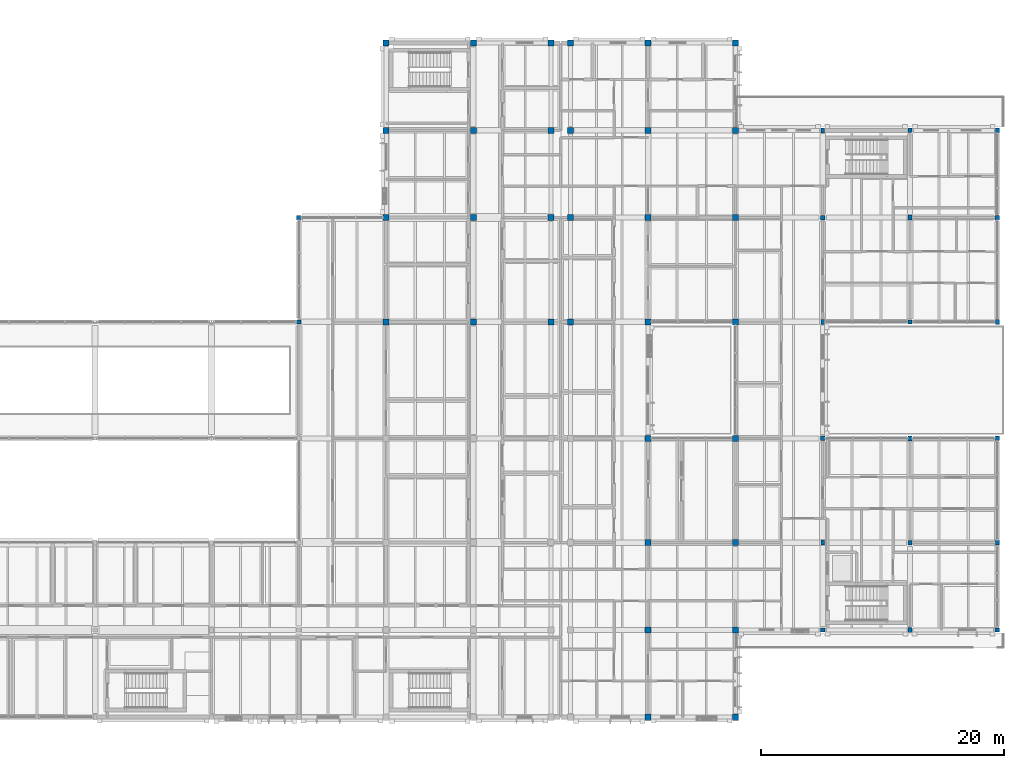
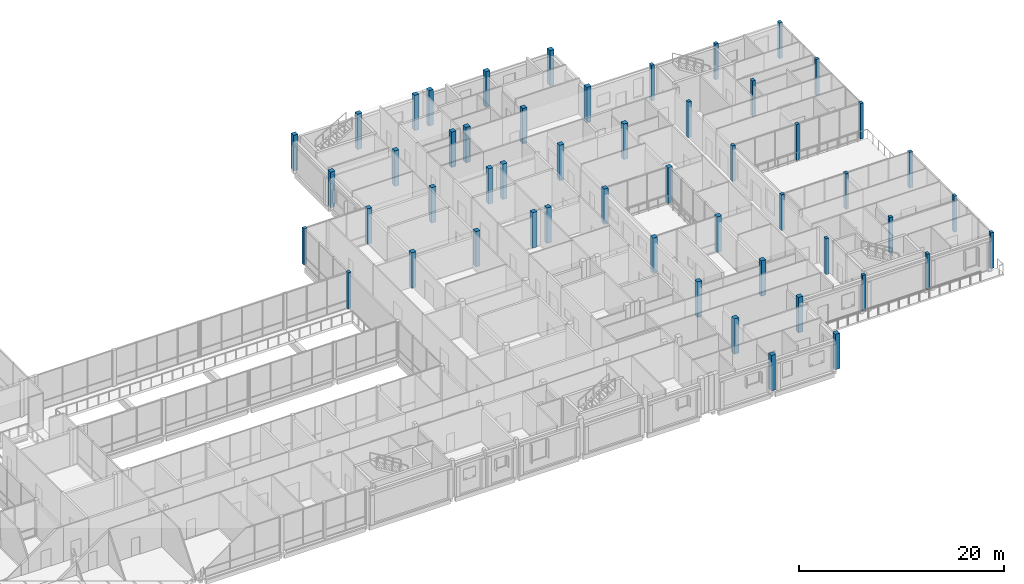
# One storey, part 14 of 146: 52 columns.
"""IFC4 building model written with IfcOpenShell, lengths in metres."""

from ifc_helpers import new_model, si_unit, direction, frame, origin, origin_2d, place, context, subcontext, project, spatial, rectangle, extrude, material, material_profile, profile_set, type_object, element, save


model = new_model("IFC4")

# Units and contexts
model_context = context("Model", 3, precision=1e-05, world=origin(), true_north=direction((0.0, 1.0)))
body_context = subcontext(model_context, "Body", "Model", "MODEL_VIEW")
ifc_project = project(units=[si_unit("LENGTHUNIT", "METRE"), si_unit("AREAUNIT", "SQUARE_METRE"), si_unit("VOLUMEUNIT", "CUBIC_METRE"), si_unit("PLANEANGLEUNIT", "RADIAN"), si_unit("MASSUNIT", "GRAM", prefix="KILO")], contexts=[model_context])

# Site, building, storey
site_placement = place(None, origin())
site = spatial("IfcSite", under=ifc_project, at=site_placement, CompositionType="ELEMENT")
building_placement = place(site_placement, origin())
building = spatial("IfcBuilding", under=site, at=building_placement, Name="Hawrajan Terrace Health Centre", CompositionType="ELEMENT")
storey_placement = place(building_placement, frame((0.0, 0.0, 4.5)))
storey = spatial("IfcBuildingStorey", under=building, at=storey_placement, Name="L01", CompositionType="ELEMENT", Elevation=4.5)

# Columns
ifc_material_1 = material(Name="Glulam GL32h", Category="wood")
ifc_material_profile_1 = material_profile(ifc_material_1, rectangle(XDim=0.320068359375, YDim=0.419921875, at=origin_2d()), Name="GL 320x420")
ifc_profile_set_1 = profile_set([ifc_material_profile_1], Name="Glulam GL32h")
column_type_1 = type_object("IfcColumnType", Name="GlulamCol_320x420", PredefinedType="COLUMN", material=ifc_profile_set_1)
for number, where, z_axis, x_axis, name in (
    (1, (151.0, 18.60009765625, 0.0), (0.0, 0.0, 1.0), (1.0, 0.0, 0.0), "Column COL-L01-E-X20-Y3"),
    (2, (151.0, 36.800048828125, 0.0), (0.0, 0.0, 1.0), (1.0, 0.0, 0.0), "Column COL-L01-E-X20-Y5"),
    (3, (151.0, 52.60009765625, 0.0), (0.0, 0.0, 1.0), (1.0, 0.0, 0.0), "Column COL-L01-E-X20-Y7"),
    (4, (158.199951171875, 11.39990234375, 0.0), (0.0, 0.0, 1.0), (1.0, 0.0, 0.0), "Column COL-L01-E-X21-Y2"),
    (5, (158.199951171875, 27.199951171875, 0.0), (0.0, 0.0, 1.0), (1.0, 0.0, 0.0), "Column COL-L01-E-X21-Y4"),
    (6, (158.199951171875, 45.39990234375, 0.0), (0.0, 0.0, 1.0), (1.0, 0.0, 0.0), "Column COL-L01-E-X21-Y6"),
    (7, (165.39990234375, 18.60009765625, 0.0), (0.0, 0.0, 1.0), (1.0, 0.0, 0.0), "Column COL-L01-E-X22-Y3"),
    (8, (165.39990234375, 36.800048828125, 0.0), (0.0, 0.0, 1.0), (1.0, 0.0, 0.0), "Column COL-L01-E-X22-Y5"),
    (9, (165.39990234375, 52.60009765625, 0.0), (0.0, 0.0, 1.0), (1.0, 0.0, 0.0), "Column COL-L01-E-X22-Y7"),
):
    element("IfcColumn", number, at=place(storey_placement, frame(where, z_axis=z_axis, x_axis=x_axis)), inside=storey, type_object=column_type_1, Name=name, PredefinedType="COLUMN", context=body_context, shape_type="SweptSolid", body=[
        extrude(rectangle(XDim=0.320068359375, YDim=0.419921875, at=origin_2d()), origin(), (0.0, 0.0, 1.0), 4.260009765625),
    ])
ifc_material_profile_2 = material_profile(ifc_material_1, rectangle(XDim=0.360107421875, YDim=0.360107421875, at=origin_2d()), Name="GL 360x360")
ifc_profile_set_2 = profile_set([ifc_material_profile_2], Name="Glulam GL32h")
column_type_2 = type_object("IfcColumnType", Name="GlulamCol_360x360", PredefinedType="COLUMN", material=ifc_profile_set_2)
for number, where, z_axis, x_axis, name in (
    (10, (107.800048828125, 36.800048828125, 0.0), (0.0, 0.0, 1.0), (1.0, 0.0, 0.0), "Column COL-L01-C-X14-Y5"),
    (11, (107.800048828125, 45.39990234375, 0.0), (0.0, 0.0, 1.0), (1.0, 0.0, 0.0), "Column COL-L01-C-X14-Y6"),
):
    element("IfcColumn", number, at=place(storey_placement, frame(where, z_axis=z_axis, x_axis=x_axis)), inside=storey, type_object=column_type_2, Name=name, PredefinedType="COLUMN", context=body_context, shape_type="SweptSolid", body=[
        extrude(rectangle(XDim=0.360107421875, YDim=0.360107421875, at=origin_2d()), origin(), (0.0, 0.0, 1.0), 4.300048828125),
    ])
for number, where, z_axis, x_axis, name in (
    (12, (151.0, 11.39990234375, 0.0), (0.0, 0.0, 1.0), (1.0, 0.0, 0.0), "Column COL-L01-E-X20-Y2"),
    (13, (151.0, 27.199951171875, 0.0), (0.0, 0.0, 1.0), (1.0, 0.0, 0.0), "Column COL-L01-E-X20-Y4"),
    (14, (151.0, 45.39990234375, 0.0), (0.0, 0.0, 1.0), (1.0, 0.0, 0.0), "Column COL-L01-E-X20-Y6"),
    (15, (158.199951171875, 18.60009765625, 0.0), (0.0, 0.0, 1.0), (1.0, 0.0, 0.0), "Column COL-L01-E-X21-Y3"),
    (16, (158.199951171875, 36.800048828125, 0.0), (0.0, 0.0, 1.0), (1.0, 0.0, 0.0), "Column COL-L01-E-X21-Y5"),
    (17, (158.199951171875, 52.60009765625, 0.0), (0.0, 0.0, 1.0), (1.0, 0.0, 0.0), "Column COL-L01-E-X21-Y7"),
    (18, (165.39990234375, 11.39990234375, 0.0), (0.0, 0.0, 1.0), (1.0, 0.0, 0.0), "Column COL-L01-E-X22-Y2"),
    (19, (165.39990234375, 27.199951171875, 0.0), (0.0, 0.0, 1.0), (1.0, 0.0, 0.0), "Column COL-L01-E-X22-Y4"),
    (20, (165.39990234375, 45.39990234375, 0.0), (0.0, 0.0, 1.0), (1.0, 0.0, 0.0), "Column COL-L01-E-X22-Y6"),
):
    element("IfcColumn", number, at=place(storey_placement, frame(where, z_axis=z_axis, x_axis=x_axis)), inside=storey, type_object=column_type_2, Name=name, PredefinedType="COLUMN", context=body_context, shape_type="SweptSolid", body=[
        extrude(rectangle(XDim=0.360107421875, YDim=0.360107421875, at=origin_2d()), origin(), (0.0, 0.0, 1.0), 4.260009765625),
    ])
ifc_material_2 = material(Name="Concrete C40/50", Category="concrete")
ifc_material_profile_3 = material_profile(ifc_material_2, rectangle(XDim=0.5, YDim=0.5, at=origin_2d()), Name="RC 500x500")
ifc_profile_set_3 = profile_set([ifc_material_profile_3], Name="Concrete C40/50")
column_type_3 = type_object("IfcColumnType", Name="RCCol_500x500", PredefinedType="COLUMN", material=ifc_profile_set_3)
for number, where, z_axis, x_axis, name in (
    (21, (115.0, 36.800048828125, 0.0), (0.0, 0.0, 1.0), (1.0, 0.0, 0.0), "Column COL-L01-C-X15-Y5"),
    (22, (115.0, 45.39990234375, 0.0), (0.0, 0.0, 1.0), (1.0, 0.0, 0.0), "Column COL-L01-C-X15-Y6"),
    (23, (115.0, 52.60009765625, 0.0), (0.0, 0.0, 1.0), (1.0, 0.0, 0.0), "Column COL-L01-C-X15-Y7"),
    (24, (115.0, 59.800048828125, 0.0), (0.0, 0.0, 1.0), (1.0, 0.0, 0.0), "Column COL-L01-C-X15-Y8"),
    (25, (122.199951171875, 36.800048828125, 0.0), (0.0, 0.0, 1.0), (1.0, 0.0, 0.0), "Column COL-L01-C-X16-Y5"),
    (26, (122.199951171875, 45.39990234375, 0.0), (0.0, 0.0, 1.0), (1.0, 0.0, 0.0), "Column COL-L01-C-X16-Y6"),
    (27, (122.199951171875, 52.60009765625, 0.0), (0.0, 0.0, 1.0), (1.0, 0.0, 0.0), "Column COL-L01-C-X16-Y7"),
    (28, (122.199951171875, 59.800048828125, 0.0), (0.0, 0.0, 1.0), (1.0, 0.0, 0.0), "Column COL-L01-C-X16-Y8"),
    (29, (128.60009765625, 36.800048828125, 0.0), (0.0, 0.0, 1.0), (1.0, 0.0, 0.0), "Column COL-L01-C-X17-Y5"),
    (30, (128.60009765625, 45.39990234375, 0.0), (0.0, 0.0, 1.0), (1.0, 0.0, 0.0), "Column COL-L01-C-X17-Y6"),
    (31, (128.60009765625, 52.60009765625, 0.0), (0.0, 0.0, 1.0), (1.0, 0.0, 0.0), "Column COL-L01-C-X17-Y7"),
    (32, (128.60009765625, 59.800048828125, 0.0), (0.0, 0.0, 1.0), (1.0, 0.0, 0.0), "Column COL-L01-C-X17-Y8"),
    (33, (130.199951171875, 36.800048828125, 0.0), (0.0, 0.0, 1.0), (1.0, 0.0, 0.0), "Column COL-L01-E-X17-Y5"),
    (34, (130.199951171875, 45.39990234375, 0.0), (0.0, 0.0, 1.0), (1.0, 0.0, 0.0), "Column COL-L01-E-X17-Y6"),
    (35, (130.199951171875, 52.60009765625, 0.0), (0.0, 0.0, 1.0), (1.0, 0.0, 0.0), "Column COL-L01-E-X17-Y7"),
    (36, (130.199951171875, 59.800048828125, 0.0), (0.0, 0.0, 1.0), (1.0, 0.0, 0.0), "Column COL-L01-E-X17-Y8"),
    (37, (136.60009765625, 4.199951171875, 0.0), (0.0, 0.0, 1.0), (1.0, 0.0, 0.0), "Column COL-L01-E-X18-Y1"),
    (38, (136.60009765625, 11.39990234375, 0.0), (0.0, 0.0, 1.0), (1.0, 0.0, 0.0), "Column COL-L01-E-X18-Y2"),
    (39, (136.60009765625, 18.60009765625, 0.0), (0.0, 0.0, 1.0), (1.0, 0.0, 0.0), "Column COL-L01-E-X18-Y3"),
    (40, (136.60009765625, 27.199951171875, 0.0), (0.0, 0.0, 1.0), (1.0, 0.0, 0.0), "Column COL-L01-E-X18-Y4"),
    (41, (136.60009765625, 36.800048828125, 0.0), (0.0, 0.0, 1.0), (1.0, 0.0, 0.0), "Column COL-L01-E-X18-Y5"),
    (42, (136.60009765625, 45.39990234375, 0.0), (0.0, 0.0, 1.0), (1.0, 0.0, 0.0), "Column COL-L01-E-X18-Y6"),
    (43, (136.60009765625, 52.60009765625, 0.0), (0.0, 0.0, 1.0), (1.0, 0.0, 0.0), "Column COL-L01-E-X18-Y7"),
    (44, (136.60009765625, 59.800048828125, 0.0), (0.0, 0.0, 1.0), (1.0, 0.0, 0.0), "Column COL-L01-E-X18-Y8"),
    (45, (143.800048828125, 4.199951171875, 0.0), (0.0, 0.0, 1.0), (1.0, 0.0, 0.0), "Column COL-L01-E-X19-Y1"),
    (46, (143.800048828125, 11.39990234375, 0.0), (0.0, 0.0, 1.0), (1.0, 0.0, 0.0), "Column COL-L01-E-X19-Y2"),
    (47, (143.800048828125, 18.60009765625, 0.0), (0.0, 0.0, 1.0), (1.0, 0.0, 0.0), "Column COL-L01-E-X19-Y3"),
    (48, (143.800048828125, 27.199951171875, 0.0), (0.0, 0.0, 1.0), (1.0, 0.0, 0.0), "Column COL-L01-E-X19-Y4"),
    (49, (143.800048828125, 36.800048828125, 0.0), (0.0, 0.0, 1.0), (1.0, 0.0, 0.0), "Column COL-L01-E-X19-Y5"),
    (50, (143.800048828125, 45.39990234375, 0.0), (0.0, 0.0, 1.0), (1.0, 0.0, 0.0), "Column COL-L01-E-X19-Y6"),
    (51, (143.800048828125, 52.60009765625, 0.0), (0.0, 0.0, 1.0), (1.0, 0.0, 0.0), "Column COL-L01-E-X19-Y7"),
    (52, (143.800048828125, 59.800048828125, 0.0), (0.0, 0.0, 1.0), (1.0, 0.0, 0.0), "Column COL-L01-E-X19-Y8"),
):
    element("IfcColumn", number, at=place(storey_placement, frame(where, z_axis=z_axis, x_axis=x_axis)), inside=storey, type_object=column_type_3, Name=name, PredefinedType="COLUMN", context=body_context, shape_type="SweptSolid", body=[
        extrude(rectangle(XDim=0.5, YDim=0.5, at=origin_2d()), origin(), (0.0, 0.0, 1.0), 4.219970703125),
    ])

save(model, "model.ifc")
